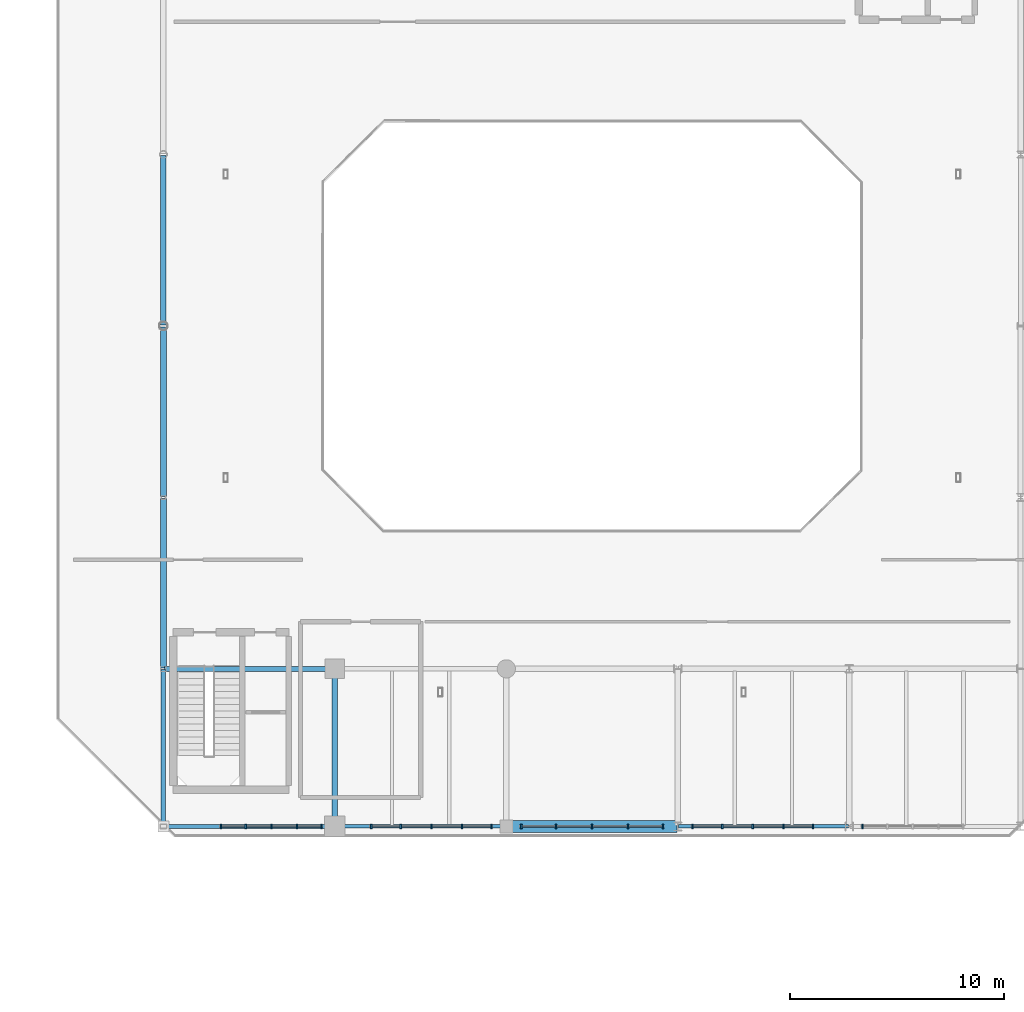
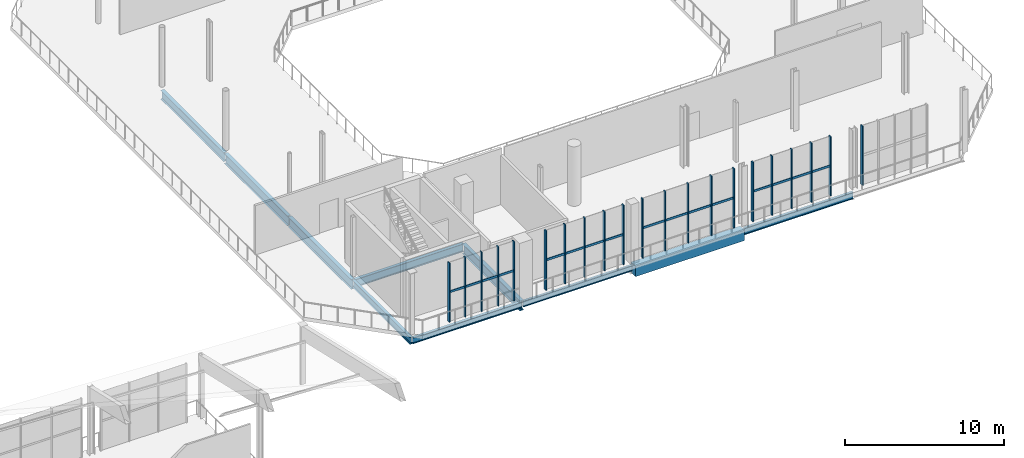
# One storey, part 17 of 51: 37 members, 10 beams, 5 elements without a shape of their own.
"""IFC4 building model written with IfcOpenShell, lengths in metres."""

from ifc_helpers import new_model, si_unit, direction, frame, origin, origin_2d, place, context, subcontext, project, spatial, rectangle, i_section, extrude, material, material_profile, profile_set, type_object, element, aggregate, save


model = new_model("IFC4")

# Units and contexts
model_context = context("Model", 3, precision=1e-05, world=origin(), true_north=direction((0.0, 1.0)))
body_context = subcontext(model_context, "Body", "Model", "MODEL_VIEW")
ifc_project = project(units=[si_unit("LENGTHUNIT", "METRE"), si_unit("AREAUNIT", "SQUARE_METRE"), si_unit("VOLUMEUNIT", "CUBIC_METRE"), si_unit("PLANEANGLEUNIT", "RADIAN"), si_unit("MASSUNIT", "GRAM", prefix="KILO")], contexts=[model_context])

# Site, building, storey
site_placement = place(None, origin())
site = spatial("IfcSite", under=ifc_project, at=site_placement, CompositionType="ELEMENT")
building_placement = place(site_placement, origin())
building = spatial("IfcBuilding", under=site, at=building_placement, Name="Brisemont Oceanarium", CompositionType="ELEMENT")
storey_placement = place(building_placement, frame((0.0, 0.0, 15.0)))
storey = spatial("IfcBuildingStorey", under=building, at=storey_placement, Name="L03", CompositionType="ELEMENT", Elevation=15.0)

# Beams
ifc_material_1 = material(Name="Concrete C40/50", Category="concrete")
ifc_material_profile_1 = material_profile(ifc_material_1, rectangle(XDim=0.550048828125, YDim=0.800048828125, at=origin_2d()), Name="RC-BM-550X800")
ifc_profile_set_1 = profile_set([ifc_material_profile_1], Name="Concrete C40/50")
beam_type_1 = type_object("IfcBeamType", Name="BM-RC550X800", PredefinedType="SPANDREL", material=ifc_profile_set_1)
beam_1_placement = place(storey_placement, frame((80.0400390625, 32.64990234375, -0.679931640625), z_axis=(1.0, 0.0, 0.0), x_axis=(0.0, 1.0, 0.0)))
element("IfcBeam", 1, at=beam_1_placement, inside=storey, type_object=beam_type_1, Name="V1 L03 EW girder", PredefinedType="SPANDREL", context=body_context, shape_type="SweptSolid", body=[
    extrude(rectangle(XDim=0.550048828125, YDim=0.800048828125, at=origin_2d()), origin(), (0.0, 0.0, 1.0), 7.919921875),
])
ifc_material_2 = material(Name="Structural Steel ASTM A992 Gr.50", Category="steel")
ifc_material_profile_2 = material_profile(ifc_material_2, i_section(OverallWidth=0.154052734375, OverallDepth=0.458984375, WebThickness=0.009033203125, FlangeThickness=0.015380859375, FilletRadius=0.010986328125, at=origin_2d()), Name="W18X46")
ifc_profile_set_2 = profile_set([ifc_material_profile_2], Name="Structural Steel ASTM A992 Gr.50")
beam_type_2 = type_object("IfcBeamType", Name="BM-W18X46", PredefinedType="SPANDREL", material=ifc_profile_set_2)
beam_2_placement = place(storey_placement, frame((72.0400390625, 32.64990234375, -0.509521484375), z_axis=(1.0, 0.0, 0.0), x_axis=(0.0, 1.0, 0.0)))
element("IfcBeam", 2, at=beam_2_placement, inside=storey, type_object=beam_type_2, Name="V1 L03 EW girder", PredefinedType="SPANDREL", context=body_context, shape_type="SweptSolid", body=[
    extrude(i_section(OverallWidth=0.154052734375, OverallDepth=0.458984375, WebThickness=0.009033203125, FlangeThickness=0.015380859375, FilletRadius=0.010986328125, at=origin_2d()), origin(), (0.0, 0.0, 1.0), 7.919921875),
])
ifc_material_3 = material(Name="Structural Steel ASTM A992 Gr.50", Category="steel")
ifc_material_profile_3 = material_profile(ifc_material_3, i_section(OverallWidth=0.19091796875, OverallDepth=0.4599609375, WebThickness=0.010009765625, FlangeThickness=0.01611328125, FilletRadius=0.010986328125, at=origin_2d()), Name="W18X55")
ifc_profile_set_3 = profile_set([ifc_material_profile_3], Name="Structural Steel ASTM A992 Gr.50")
beam_type_3 = type_object("IfcBeamType", Name="BM-W18X55", PredefinedType="SPANDREL", material=ifc_profile_set_3)
beam_3_placement = place(storey_placement, frame((64.0400390625, 32.64990234375, -0.510009765625), z_axis=(1.0, 0.0, 0.0), x_axis=(0.0, 1.0, 0.0)))
element("IfcBeam", 3, at=beam_3_placement, inside=storey, type_object=beam_type_3, Name="V1 L03 EW girder", PredefinedType="SPANDREL", context=body_context, shape_type="SweptSolid", body=[
    extrude(i_section(OverallWidth=0.19091796875, OverallDepth=0.4599609375, WebThickness=0.010009765625, FlangeThickness=0.01611328125, FilletRadius=0.010986328125, at=origin_2d()), origin(), (0.0, 0.0, 1.0), 7.919921875),
])
ifc_material_4 = material(Name="Structural Steel ASTM A992 Gr.50", Category="steel")
ifc_material_profile_4 = material_profile(ifc_material_4, i_section(OverallWidth=0.166015625, OverallDepth=0.528076171875, WebThickness=0.009765625, FlangeThickness=0.013671875, FilletRadius=0.012939453125, at=origin_2d()), Name="W21X50")
ifc_profile_set_4 = profile_set([ifc_material_profile_4], Name="Structural Steel ASTM A992 Gr.50")
beam_type_4 = type_object("IfcBeamType", Name="BM-W21X50", PredefinedType="SPANDREL", material=ifc_profile_set_4)
beam_4_placement = place(storey_placement, frame((88.0400390625, 32.64990234375, -0.5439453125), z_axis=(1.0, 0.0, 0.0), x_axis=(0.0, 1.0, 0.0)))
element("IfcBeam", 4, at=beam_4_placement, inside=storey, type_object=beam_type_4, Name="V1 L03 EW girder", PredefinedType="SPANDREL", context=body_context, shape_type="SweptSolid", body=[
    extrude(i_section(OverallWidth=0.166015625, OverallDepth=0.528076171875, WebThickness=0.009765625, FlangeThickness=0.013671875, FilletRadius=0.012939453125, at=origin_2d()), origin(), (0.0, 0.0, 1.0), 7.919921875),
])
ifc_material_5 = material(Name="Structural Steel ASTM A992 Gr.50", Category="steel")
ifc_material_profile_5 = material_profile(ifc_material_5, i_section(OverallWidth=0.2099609375, OverallDepth=0.532958984375, WebThickness=0.01025390625, FlangeThickness=0.015625, FilletRadius=0.012939453125, at=origin_2d()), Name="W21X62")
ifc_profile_set_5 = profile_set([ifc_material_profile_5], Name="Structural Steel ASTM A992 Gr.50")
beam_type_5 = type_object("IfcBeamType", Name="BM-W21X62", PredefinedType="BEAM", material=ifc_profile_set_5)
beam_5_placement = place(storey_placement, frame((64.0, 32.68994140625, -0.54638671875), z_axis=(0.0, 1.0, 0.0), x_axis=(-1.0, 0.0, 0.0)))
element("IfcBeam", 5, at=beam_5_placement, inside=storey, type_object=beam_type_5, Name="V1 L03 NS girder", PredefinedType="BEAM", context=body_context, shape_type="SweptSolid", body=[
    extrude(i_section(OverallWidth=0.2099609375, OverallDepth=0.532958984375, WebThickness=0.01025390625, FlangeThickness=0.015625, FilletRadius=0.012939453125, at=origin_2d()), origin(), (0.0, 0.0, 1.0), 7.27001953125),
])
ifc_material_6 = material(Name="Structural Steel ASTM A992 Gr.50", Category="steel")
ifc_material_profile_6 = material_profile(ifc_material_6, i_section(OverallWidth=0.22802734375, OverallDepth=0.60205078125, WebThickness=0.010498046875, FlangeThickness=0.014892578125, FilletRadius=0.012939453125, at=origin_2d()), Name="W24X68")
ifc_profile_set_6 = profile_set([ifc_material_profile_6], Name="Structural Steel ASTM A992 Gr.50")
beam_type_6 = type_object("IfcBeamType", Name="BM-W24X68", PredefinedType="BEAM", material=ifc_profile_set_6)
beam_6_placement = place(storey_placement, frame((64.0400390625, 40.0, -0.5810546875), z_axis=(1.0, 0.0, 0.0), x_axis=(0.0, 1.0, 0.0)))
element("IfcBeam", 6, at=beam_6_placement, inside=storey, type_object=beam_type_6, Name="V1 L03 EW girder", PredefinedType="BEAM", context=body_context, shape_type="SweptSolid", body=[
    extrude(i_section(OverallWidth=0.22802734375, OverallDepth=0.60205078125, WebThickness=0.010498046875, FlangeThickness=0.014892578125, FilletRadius=0.012939453125, at=origin_2d()), origin(), (0.0, 0.0, 1.0), 7.919921875),
])
ifc_material_7 = material(Name="Structural Steel ASTM A992 Gr.50", Category="steel")
ifc_material_profile_7 = material_profile(ifc_material_7, i_section(OverallWidth=0.25390625, OverallDepth=0.68310546875, WebThickness=0.012451171875, FlangeThickness=0.018798828125, FilletRadius=0.014892578125, at=origin_2d()), Name="W27X94")
ifc_profile_set_7 = profile_set([ifc_material_profile_7], Name="Structural Steel ASTM A992 Gr.50")
beam_type_7 = type_object("IfcBeamType", Name="BM-W27X94", PredefinedType="BEAM", material=ifc_profile_set_7)
beam_7_placement = place(storey_placement, frame((64.0, 56.0400390625, -0.62158203125), z_axis=(0.0, 1.0, 0.0), x_axis=(-1.0, 0.0, 0.0)))
element("IfcBeam", 7, at=beam_7_placement, inside=storey, type_object=beam_type_7, Name="V1 L03 NS girder", PredefinedType="BEAM", context=body_context, shape_type="SweptSolid", body=[
    extrude(i_section(OverallWidth=0.25390625, OverallDepth=0.68310546875, WebThickness=0.012451171875, FlangeThickness=0.018798828125, FilletRadius=0.014892578125, at=origin_2d()), origin(), (0.0, 0.0, 1.0), 7.919921875),
])
ifc_material_8 = material(Name="Structural Steel ASTM A992 Gr.50", Category="steel")
ifc_material_profile_8 = material_profile(ifc_material_8, i_section(OverallWidth=0.26708984375, OverallDepth=0.761962890625, WebThickness=0.014404296875, FlangeThickness=0.021484375, FilletRadius=0.01611328125, at=origin_2d()), Name="W30X116")
ifc_profile_set_8 = profile_set([ifc_material_profile_8], Name="Structural Steel ASTM A992 Gr.50")
beam_type_8 = type_object("IfcBeamType", Name="BM-W30X116", PredefinedType="BEAM", material=ifc_profile_set_8)
beam_8_placement = place(storey_placement, frame((64.0, 40.0400390625, -0.660888671875), z_axis=(0.0, 1.0, 0.0), x_axis=(-1.0, 0.0, 0.0)))
element("IfcBeam", 8, at=beam_8_placement, inside=storey, type_object=beam_type_8, Name="V1 L03 NS girder", PredefinedType="BEAM", context=body_context, shape_type="SweptSolid", body=[
    extrude(i_section(OverallWidth=0.26708984375, OverallDepth=0.761962890625, WebThickness=0.014404296875, FlangeThickness=0.021484375, FilletRadius=0.01611328125, at=origin_2d()), origin(), (0.0, 0.0, 1.0), 7.919921875),
])
beam_9_placement = place(storey_placement, frame((72.0, 32.68994140625, -0.660888671875), z_axis=(0.0, 1.0, 0.0), x_axis=(-1.0, 0.0, 0.0)))
element("IfcBeam", 9, at=beam_9_placement, inside=storey, type_object=beam_type_8, Name="V1 L03 NS girder", PredefinedType="BEAM", context=body_context, shape_type="SweptSolid", body=[
    extrude(i_section(OverallWidth=0.26708984375, OverallDepth=0.761962890625, WebThickness=0.014404296875, FlangeThickness=0.021484375, FilletRadius=0.01611328125, at=origin_2d()), origin(), (0.0, 0.0, 1.0), 7.27001953125),
])
ifc_material_9 = material(Name="Structural Steel ASTM A992 Gr.50", Category="steel")
ifc_material_profile_9 = material_profile(ifc_material_9, i_section(OverallWidth=0.264892578125, OverallDepth=0.7529296875, WebThickness=0.01318359375, FlangeThickness=0.01708984375, FilletRadius=0.01611328125, at=origin_2d()), Name="W30X99")
ifc_profile_set_9 = profile_set([ifc_material_profile_9], Name="Structural Steel ASTM A992 Gr.50")
beam_type_9 = type_object("IfcBeamType", Name="BM-W30X99", PredefinedType="BEAM", material=ifc_profile_set_9)
beam_10_placement = place(storey_placement, frame((64.0, 48.0400390625, -0.656494140625), z_axis=(0.0, 1.0, 0.0), x_axis=(-1.0, 0.0, 0.0)))
element("IfcBeam", 10, at=beam_10_placement, inside=storey, type_object=beam_type_9, Name="V1 L03 NS girder", PredefinedType="BEAM", context=body_context, shape_type="SweptSolid", body=[
    extrude(i_section(OverallWidth=0.264892578125, OverallDepth=0.7529296875, WebThickness=0.01318359375, FlangeThickness=0.01708984375, FilletRadius=0.01611328125, at=origin_2d()), origin(), (0.0, 0.0, 1.0), 7.919921875),
])

# Curtain wall, members
ifc_material_10 = material(Name="Anodized Extruded Aluminum 6063-T6", Category="aluminium")
curtain_wall_type = type_object("IfcCurtainWallType", Name="CW-ROT-69X44", PredefinedType="NOTDEFINED", material=ifc_material_10)
curtain_wall_1_placement = place(storey_placement, origin())
curtain_wall_1 = element("IfcCurtainWall", 11, at=curtain_wall_1_placement, inside=storey, type_object=curtain_wall_type, Name="CW-03 curtain wall CW-V1-S-L03-01", PredefinedType="NOTDEFINED")
ifc_material_11 = material(Name="Anodized Extruded Aluminum 6063-T6", Category="aluminium")
ifc_material_profile_10 = material_profile(ifc_material_11, rectangle(XDim=0.074951171875, YDim=0.219970703125, at=origin_2d()), Name="CWM-75X220")
ifc_profile_set_10 = profile_set([ifc_material_profile_10], Name="Anodized Extruded Aluminum 6063-T6")
member_type_1 = type_object("IfcMemberType", Name="MEM-CWM-75", PredefinedType="MULLION", material=ifc_profile_set_10)
member_1_placement = place(storey_placement, frame((66.695068359375, 32.64990234375, 0.0), z_axis=(0.0, 0.0, 1.0), x_axis=(1.0, 0.0, 0.0)))
member_1 = element("IfcMember", 12, at=member_1_placement, type_object=member_type_1, Name="CW-V1-S-L03-01 mullion 1", PredefinedType="MULLION", context=body_context, shape_type="SweptSolid", body=[
    extrude(rectangle(XDim=0.074951171875, YDim=0.219970703125, at=origin_2d()), origin(), (0.0, 0.0, 1.0), 4.5400390625),
])
member_2_placement = place(storey_placement, frame((67.842529296875, 32.64990234375, 0.0), z_axis=(0.0, 0.0, 1.0), x_axis=(1.0, 0.0, 0.0)))
member_2 = element("IfcMember", 13, at=member_2_placement, type_object=member_type_1, Name="CW-V1-S-L03-01 mullion 2", PredefinedType="MULLION", context=body_context, shape_type="SweptSolid", body=[
    extrude(rectangle(XDim=0.074951171875, YDim=0.219970703125, at=origin_2d()), origin(), (0.0, 0.0, 1.0), 4.5400390625),
])
member_3_placement = place(storey_placement, frame((69.034912109375, 32.64990234375, 0.0), z_axis=(0.0, 0.0, 1.0), x_axis=(1.0, 0.0, 0.0)))
member_3 = element("IfcMember", 14, at=member_3_placement, type_object=member_type_1, Name="CW-V1-S-L03-01 mullion 3", PredefinedType="MULLION", context=body_context, shape_type="SweptSolid", body=[
    extrude(rectangle(XDim=0.074951171875, YDim=0.219970703125, at=origin_2d()), origin(), (0.0, 0.0, 1.0), 4.5400390625),
])
member_4_placement = place(storey_placement, frame((70.2275390625, 32.64990234375, 0.0), z_axis=(0.0, 0.0, 1.0), x_axis=(1.0, 0.0, 0.0)))
member_4 = element("IfcMember", 15, at=member_4_placement, type_object=member_type_1, Name="CW-V1-S-L03-01 mullion 4", PredefinedType="MULLION", context=body_context, shape_type="SweptSolid", body=[
    extrude(rectangle(XDim=0.074951171875, YDim=0.219970703125, at=origin_2d()), origin(), (0.0, 0.0, 1.0), 4.5400390625),
])
member_5_placement = place(storey_placement, frame((71.375, 32.64990234375, 0.0), z_axis=(0.0, 0.0, 1.0), x_axis=(1.0, 0.0, 0.0)))
member_5 = element("IfcMember", 16, at=member_5_placement, type_object=member_type_1, Name="CW-V1-S-L03-01 mullion 5", PredefinedType="MULLION", context=body_context, shape_type="SweptSolid", body=[
    extrude(rectangle(XDim=0.074951171875, YDim=0.219970703125, at=origin_2d()), origin(), (0.0, 0.0, 1.0), 4.5400390625),
])

curtain_wall_2_placement = place(storey_placement, origin())
curtain_wall_2 = element("IfcCurtainWall", 17, at=curtain_wall_2_placement, inside=storey, type_object=curtain_wall_type, Name="CW-03 curtain wall CW-V1-S-L03-02", PredefinedType="NOTDEFINED")
member_6_placement = place(storey_placement, frame((73.695068359375, 32.64990234375, 0.0), z_axis=(0.0, 0.0, 1.0), x_axis=(1.0, 0.0, 0.0)))
member_6 = element("IfcMember", 18, at=member_6_placement, type_object=member_type_1, Name="CW-V1-S-L03-02 mullion 1", PredefinedType="MULLION", context=body_context, shape_type="SweptSolid", body=[
    extrude(rectangle(XDim=0.074951171875, YDim=0.219970703125, at=origin_2d()), origin(), (0.0, 0.0, 1.0), 4.5400390625),
])
member_7_placement = place(storey_placement, frame((75.074951171875, 32.64990234375, 0.0), z_axis=(0.0, 0.0, 1.0), x_axis=(1.0, 0.0, 0.0)))
member_7 = element("IfcMember", 19, at=member_7_placement, type_object=member_type_1, Name="CW-V1-S-L03-02 mullion 2", PredefinedType="MULLION", context=body_context, shape_type="SweptSolid", body=[
    extrude(rectangle(XDim=0.074951171875, YDim=0.219970703125, at=origin_2d()), origin(), (0.0, 0.0, 1.0), 4.5400390625),
])
member_8_placement = place(storey_placement, frame((76.5, 32.64990234375, 0.0), z_axis=(0.0, 0.0, 1.0), x_axis=(1.0, 0.0, 0.0)))
member_8 = element("IfcMember", 20, at=member_8_placement, type_object=member_type_1, Name="CW-V1-S-L03-02 mullion 3", PredefinedType="MULLION", context=body_context, shape_type="SweptSolid", body=[
    extrude(rectangle(XDim=0.074951171875, YDim=0.219970703125, at=origin_2d()), origin(), (0.0, 0.0, 1.0), 4.5400390625),
])
member_9_placement = place(storey_placement, frame((77.925048828125, 32.64990234375, 0.0), z_axis=(0.0, 0.0, 1.0), x_axis=(1.0, 0.0, 0.0)))
member_9 = element("IfcMember", 21, at=member_9_placement, type_object=member_type_1, Name="CW-V1-S-L03-02 mullion 4", PredefinedType="MULLION", context=body_context, shape_type="SweptSolid", body=[
    extrude(rectangle(XDim=0.074951171875, YDim=0.219970703125, at=origin_2d()), origin(), (0.0, 0.0, 1.0), 4.5400390625),
])
member_10_placement = place(storey_placement, frame((79.304931640625, 32.64990234375, 0.0), z_axis=(0.0, 0.0, 1.0), x_axis=(1.0, 0.0, 0.0)))
member_10 = element("IfcMember", 22, at=member_10_placement, type_object=member_type_1, Name="CW-V1-S-L03-02 mullion 5", PredefinedType="MULLION", context=body_context, shape_type="SweptSolid", body=[
    extrude(rectangle(XDim=0.074951171875, YDim=0.219970703125, at=origin_2d()), origin(), (0.0, 0.0, 1.0), 4.5400390625),
])

curtain_wall_3_placement = place(storey_placement, origin())
curtain_wall_3 = element("IfcCurtainWall", 23, at=curtain_wall_3_placement, inside=storey, type_object=curtain_wall_type, Name="CW-03 curtain wall CW-V1-S-L03-03", PredefinedType="NOTDEFINED")
member_11_placement = place(storey_placement, frame((80.695068359375, 32.64990234375, 0.0), z_axis=(0.0, 0.0, 1.0), x_axis=(1.0, 0.0, 0.0)))
member_11 = element("IfcMember", 24, at=member_11_placement, type_object=member_type_1, Name="CW-V1-S-L03-03 mullion 1", PredefinedType="MULLION", context=body_context, shape_type="SweptSolid", body=[
    extrude(rectangle(XDim=0.074951171875, YDim=0.219970703125, at=origin_2d()), origin(), (0.0, 0.0, 1.0), 4.5400390625),
])
member_12_placement = place(storey_placement, frame((82.324951171875, 32.64990234375, 0.0), z_axis=(0.0, 0.0, 1.0), x_axis=(1.0, 0.0, 0.0)))
member_12 = element("IfcMember", 25, at=member_12_placement, type_object=member_type_1, Name="CW-V1-S-L03-03 mullion 2", PredefinedType="MULLION", context=body_context, shape_type="SweptSolid", body=[
    extrude(rectangle(XDim=0.074951171875, YDim=0.219970703125, at=origin_2d()), origin(), (0.0, 0.0, 1.0), 4.5400390625),
])
member_13_placement = place(storey_placement, frame((84.0, 32.64990234375, 0.0), z_axis=(0.0, 0.0, 1.0), x_axis=(1.0, 0.0, 0.0)))
member_13 = element("IfcMember", 26, at=member_13_placement, type_object=member_type_1, Name="CW-V1-S-L03-03 mullion 3", PredefinedType="MULLION", context=body_context, shape_type="SweptSolid", body=[
    extrude(rectangle(XDim=0.074951171875, YDim=0.219970703125, at=origin_2d()), origin(), (0.0, 0.0, 1.0), 4.5400390625),
])
member_14_placement = place(storey_placement, frame((85.675048828125, 32.64990234375, 0.0), z_axis=(0.0, 0.0, 1.0), x_axis=(1.0, 0.0, 0.0)))
member_14 = element("IfcMember", 27, at=member_14_placement, type_object=member_type_1, Name="CW-V1-S-L03-03 mullion 4", PredefinedType="MULLION", context=body_context, shape_type="SweptSolid", body=[
    extrude(rectangle(XDim=0.074951171875, YDim=0.219970703125, at=origin_2d()), origin(), (0.0, 0.0, 1.0), 4.5400390625),
])
member_15_placement = place(storey_placement, frame((87.304931640625, 32.64990234375, 0.0), z_axis=(0.0, 0.0, 1.0), x_axis=(1.0, 0.0, 0.0)))
member_15 = element("IfcMember", 28, at=member_15_placement, type_object=member_type_1, Name="CW-V1-S-L03-03 mullion 5", PredefinedType="MULLION", context=body_context, shape_type="SweptSolid", body=[
    extrude(rectangle(XDim=0.074951171875, YDim=0.219970703125, at=origin_2d()), origin(), (0.0, 0.0, 1.0), 4.5400390625),
])

curtain_wall_4_placement = place(storey_placement, origin())
curtain_wall_4 = element("IfcCurtainWall", 29, at=curtain_wall_4_placement, inside=storey, type_object=curtain_wall_type, Name="CW-03 curtain wall CW-V1-S-L03-04", PredefinedType="NOTDEFINED")
member_16_placement = place(storey_placement, frame((88.695068359375, 32.64990234375, 0.0), z_axis=(0.0, 0.0, 1.0), x_axis=(1.0, 0.0, 0.0)))
member_16 = element("IfcMember", 30, at=member_16_placement, type_object=member_type_1, Name="CW-V1-S-L03-04 mullion 1", PredefinedType="MULLION", context=body_context, shape_type="SweptSolid", body=[
    extrude(rectangle(XDim=0.074951171875, YDim=0.219970703125, at=origin_2d()), origin(), (0.0, 0.0, 1.0), 4.5400390625),
])
member_17_placement = place(storey_placement, frame((90.074951171875, 32.64990234375, 0.0), z_axis=(0.0, 0.0, 1.0), x_axis=(1.0, 0.0, 0.0)))
member_17 = element("IfcMember", 31, at=member_17_placement, type_object=member_type_1, Name="CW-V1-S-L03-04 mullion 2", PredefinedType="MULLION", context=body_context, shape_type="SweptSolid", body=[
    extrude(rectangle(XDim=0.074951171875, YDim=0.219970703125, at=origin_2d()), origin(), (0.0, 0.0, 1.0), 4.5400390625),
])
member_18_placement = place(storey_placement, frame((91.5, 32.64990234375, 0.0), z_axis=(0.0, 0.0, 1.0), x_axis=(1.0, 0.0, 0.0)))
member_18 = element("IfcMember", 32, at=member_18_placement, type_object=member_type_1, Name="CW-V1-S-L03-04 mullion 3", PredefinedType="MULLION", context=body_context, shape_type="SweptSolid", body=[
    extrude(rectangle(XDim=0.074951171875, YDim=0.219970703125, at=origin_2d()), origin(), (0.0, 0.0, 1.0), 4.5400390625),
])
member_19_placement = place(storey_placement, frame((92.925048828125, 32.64990234375, 0.0), z_axis=(0.0, 0.0, 1.0), x_axis=(1.0, 0.0, 0.0)))
member_19 = element("IfcMember", 33, at=member_19_placement, type_object=member_type_1, Name="CW-V1-S-L03-04 mullion 4", PredefinedType="MULLION", context=body_context, shape_type="SweptSolid", body=[
    extrude(rectangle(XDim=0.074951171875, YDim=0.219970703125, at=origin_2d()), origin(), (0.0, 0.0, 1.0), 4.5400390625),
])
member_20_placement = place(storey_placement, frame((94.304931640625, 32.64990234375, 0.0), z_axis=(0.0, 0.0, 1.0), x_axis=(1.0, 0.0, 0.0)))
member_20 = element("IfcMember", 34, at=member_20_placement, type_object=member_type_1, Name="CW-V1-S-L03-04 mullion 5", PredefinedType="MULLION", context=body_context, shape_type="SweptSolid", body=[
    extrude(rectangle(XDim=0.074951171875, YDim=0.219970703125, at=origin_2d()), origin(), (0.0, 0.0, 1.0), 4.5400390625),
])

# Curtain wall, member
curtain_wall_5_placement = place(storey_placement, origin())
curtain_wall_5 = element("IfcCurtainWall", 35, at=curtain_wall_5_placement, inside=storey, type_object=curtain_wall_type, Name="CW-03 curtain wall CW-V1-S-L03-05", PredefinedType="NOTDEFINED")
member_21_placement = place(storey_placement, frame((96.625, 32.64990234375, 0.0), z_axis=(0.0, 0.0, 1.0), x_axis=(1.0, 0.0, 0.0)))
member_21 = element("IfcMember", 36, at=member_21_placement, type_object=member_type_1, Name="CW-V1-S-L03-05 mullion 1", PredefinedType="MULLION", context=body_context, shape_type="SweptSolid", body=[
    extrude(rectangle(XDim=0.074951171875, YDim=0.219970703125, at=origin_2d()), origin(), (0.0, 0.0, 1.0), 4.5400390625),
])
aggregate(curtain_wall_5, [member_21])

# Member
ifc_material_12 = material(Name="Anodized Extruded Aluminum 6063-T6", Category="aluminium")
ifc_material_profile_11 = material_profile(ifc_material_12, rectangle(XDim=0.074951171875, YDim=0.1650390625, at=origin_2d()), Name="CWT-75X165")
ifc_profile_set_11 = profile_set([ifc_material_profile_11], Name="Anodized Extruded Aluminum 6063-T6")
member_type_2 = type_object("IfcMemberType", Name="MEM-CWT-75", PredefinedType="USERDEFINED", material=ifc_profile_set_11)
member_22_placement = place(storey_placement, frame((66.6650390625, 32.64990234375, 2.27001953125), z_axis=(1.0, 0.0, 0.0), x_axis=(0.0, 1.0, 0.0)))
member_22 = element("IfcMember", 37, at=member_22_placement, type_object=member_type_2, Name="CW-V1-S-L03-01 transom 1.1", ObjectType="TRANSOM", PredefinedType="USERDEFINED", context=body_context, shape_type="SweptSolid", body=[
    extrude(rectangle(XDim=0.074951171875, YDim=0.1650390625, at=origin_2d()), origin(), (0.0, 0.0, 1.0), 1.162353515625),
])

member_23_placement = place(storey_placement, frame((67.857421875, 32.64990234375, 2.27001953125), z_axis=(1.0, 0.0, 0.0), x_axis=(0.0, 1.0, 0.0)))
member_23 = element("IfcMember", 38, at=member_23_placement, type_object=member_type_2, Name="CW-V1-S-L03-01 transom 2.1", ObjectType="TRANSOM", PredefinedType="USERDEFINED", context=body_context, shape_type="SweptSolid", body=[
    extrude(rectangle(XDim=0.074951171875, YDim=0.1650390625, at=origin_2d()), origin(), (0.0, 0.0, 1.0), 1.16259765625),
])

member_24_placement = place(storey_placement, frame((69.050048828125, 32.64990234375, 2.27001953125), z_axis=(1.0, 0.0, 0.0), x_axis=(0.0, 1.0, 0.0)))
member_24 = element("IfcMember", 39, at=member_24_placement, type_object=member_type_2, Name="CW-V1-S-L03-01 transom 3.1", ObjectType="TRANSOM", PredefinedType="USERDEFINED", context=body_context, shape_type="SweptSolid", body=[
    extrude(rectangle(XDim=0.074951171875, YDim=0.1650390625, at=origin_2d()), origin(), (0.0, 0.0, 1.0), 1.162353515625),
])

member_25_placement = place(storey_placement, frame((70.242431640625, 32.64990234375, 2.27001953125), z_axis=(1.0, 0.0, 0.0), x_axis=(0.0, 1.0, 0.0)))
member_25 = element("IfcMember", 40, at=member_25_placement, type_object=member_type_2, Name="CW-V1-S-L03-01 transom 4.1", ObjectType="TRANSOM", PredefinedType="USERDEFINED", context=body_context, shape_type="SweptSolid", body=[
    extrude(rectangle(XDim=0.074951171875, YDim=0.1650390625, at=origin_2d()), origin(), (0.0, 0.0, 1.0), 1.16259765625),
])

aggregate(curtain_wall_1, [member_1, member_2, member_3, member_4, member_5, member_22, member_23, member_24, member_25])

member_26_placement = place(storey_placement, frame((73.6650390625, 32.64990234375, 2.27001953125), z_axis=(1.0, 0.0, 0.0), x_axis=(0.0, 1.0, 0.0)))
member_26 = element("IfcMember", 41, at=member_26_placement, type_object=member_type_2, Name="CW-V1-S-L03-02 transom 1.1", ObjectType="TRANSOM", PredefinedType="USERDEFINED", context=body_context, shape_type="SweptSolid", body=[
    extrude(rectangle(XDim=0.074951171875, YDim=0.1650390625, at=origin_2d()), origin(), (0.0, 0.0, 1.0), 1.39501953125),
])

member_27_placement = place(storey_placement, frame((75.090087890625, 32.64990234375, 2.27001953125), z_axis=(1.0, 0.0, 0.0), x_axis=(0.0, 1.0, 0.0)))
member_27 = element("IfcMember", 42, at=member_27_placement, type_object=member_type_2, Name="CW-V1-S-L03-02 transom 2.1", ObjectType="TRANSOM", PredefinedType="USERDEFINED", context=body_context, shape_type="SweptSolid", body=[
    extrude(rectangle(XDim=0.074951171875, YDim=0.1650390625, at=origin_2d()), origin(), (0.0, 0.0, 1.0), 1.39501953125),
])

member_28_placement = place(storey_placement, frame((76.514892578125, 32.64990234375, 2.27001953125), z_axis=(1.0, 0.0, 0.0), x_axis=(0.0, 1.0, 0.0)))
member_28 = element("IfcMember", 43, at=member_28_placement, type_object=member_type_2, Name="CW-V1-S-L03-02 transom 3.1", ObjectType="TRANSOM", PredefinedType="USERDEFINED", context=body_context, shape_type="SweptSolid", body=[
    extrude(rectangle(XDim=0.074951171875, YDim=0.1650390625, at=origin_2d()), origin(), (0.0, 0.0, 1.0), 1.39501953125),
])

member_29_placement = place(storey_placement, frame((77.93994140625, 32.64990234375, 2.27001953125), z_axis=(1.0, 0.0, 0.0), x_axis=(0.0, 1.0, 0.0)))
member_29 = element("IfcMember", 44, at=member_29_placement, type_object=member_type_2, Name="CW-V1-S-L03-02 transom 4.1", ObjectType="TRANSOM", PredefinedType="USERDEFINED", context=body_context, shape_type="SweptSolid", body=[
    extrude(rectangle(XDim=0.074951171875, YDim=0.1650390625, at=origin_2d()), origin(), (0.0, 0.0, 1.0), 1.39501953125),
])

aggregate(curtain_wall_2, [member_6, member_7, member_8, member_9, member_10, member_26, member_27, member_28, member_29])

member_30_placement = place(storey_placement, frame((80.6650390625, 32.64990234375, 2.27001953125), z_axis=(1.0, 0.0, 0.0), x_axis=(0.0, 1.0, 0.0)))
member_30 = element("IfcMember", 45, at=member_30_placement, type_object=member_type_2, Name="CW-V1-S-L03-03 transom 1.1", ObjectType="TRANSOM", PredefinedType="USERDEFINED", context=body_context, shape_type="SweptSolid", body=[
    extrude(rectangle(XDim=0.074951171875, YDim=0.1650390625, at=origin_2d()), origin(), (0.0, 0.0, 1.0), 1.64501953125),
])

member_31_placement = place(storey_placement, frame((82.340087890625, 32.64990234375, 2.27001953125), z_axis=(1.0, 0.0, 0.0), x_axis=(0.0, 1.0, 0.0)))
member_31 = element("IfcMember", 46, at=member_31_placement, type_object=member_type_2, Name="CW-V1-S-L03-03 transom 2.1", ObjectType="TRANSOM", PredefinedType="USERDEFINED", context=body_context, shape_type="SweptSolid", body=[
    extrude(rectangle(XDim=0.074951171875, YDim=0.1650390625, at=origin_2d()), origin(), (0.0, 0.0, 1.0), 1.64501953125),
])

member_32_placement = place(storey_placement, frame((84.014892578125, 32.64990234375, 2.27001953125), z_axis=(1.0, 0.0, 0.0), x_axis=(0.0, 1.0, 0.0)))
member_32 = element("IfcMember", 47, at=member_32_placement, type_object=member_type_2, Name="CW-V1-S-L03-03 transom 3.1", ObjectType="TRANSOM", PredefinedType="USERDEFINED", context=body_context, shape_type="SweptSolid", body=[
    extrude(rectangle(XDim=0.074951171875, YDim=0.1650390625, at=origin_2d()), origin(), (0.0, 0.0, 1.0), 1.64501953125),
])

member_33_placement = place(storey_placement, frame((85.68994140625, 32.64990234375, 2.27001953125), z_axis=(1.0, 0.0, 0.0), x_axis=(0.0, 1.0, 0.0)))
member_33 = element("IfcMember", 48, at=member_33_placement, type_object=member_type_2, Name="CW-V1-S-L03-03 transom 4.1", ObjectType="TRANSOM", PredefinedType="USERDEFINED", context=body_context, shape_type="SweptSolid", body=[
    extrude(rectangle(XDim=0.074951171875, YDim=0.1650390625, at=origin_2d()), origin(), (0.0, 0.0, 1.0), 1.64501953125),
])

aggregate(curtain_wall_3, [member_11, member_12, member_13, member_14, member_15, member_30, member_31, member_32, member_33])

member_34_placement = place(storey_placement, frame((88.6650390625, 32.64990234375, 2.27001953125), z_axis=(1.0, 0.0, 0.0), x_axis=(0.0, 1.0, 0.0)))
member_34 = element("IfcMember", 49, at=member_34_placement, type_object=member_type_2, Name="CW-V1-S-L03-04 transom 1.1", ObjectType="TRANSOM", PredefinedType="USERDEFINED", context=body_context, shape_type="SweptSolid", body=[
    extrude(rectangle(XDim=0.074951171875, YDim=0.1650390625, at=origin_2d()), origin(), (0.0, 0.0, 1.0), 1.39501953125),
])

member_35_placement = place(storey_placement, frame((90.090087890625, 32.64990234375, 2.27001953125), z_axis=(1.0, 0.0, 0.0), x_axis=(0.0, 1.0, 0.0)))
member_35 = element("IfcMember", 50, at=member_35_placement, type_object=member_type_2, Name="CW-V1-S-L03-04 transom 2.1", ObjectType="TRANSOM", PredefinedType="USERDEFINED", context=body_context, shape_type="SweptSolid", body=[
    extrude(rectangle(XDim=0.074951171875, YDim=0.1650390625, at=origin_2d()), origin(), (0.0, 0.0, 1.0), 1.39501953125),
])

member_36_placement = place(storey_placement, frame((91.514892578125, 32.64990234375, 2.27001953125), z_axis=(1.0, 0.0, 0.0), x_axis=(0.0, 1.0, 0.0)))
member_36 = element("IfcMember", 51, at=member_36_placement, type_object=member_type_2, Name="CW-V1-S-L03-04 transom 3.1", ObjectType="TRANSOM", PredefinedType="USERDEFINED", context=body_context, shape_type="SweptSolid", body=[
    extrude(rectangle(XDim=0.074951171875, YDim=0.1650390625, at=origin_2d()), origin(), (0.0, 0.0, 1.0), 1.39501953125),
])

member_37_placement = place(storey_placement, frame((92.93994140625, 32.64990234375, 2.27001953125), z_axis=(1.0, 0.0, 0.0), x_axis=(0.0, 1.0, 0.0)))
member_37 = element("IfcMember", 52, at=member_37_placement, type_object=member_type_2, Name="CW-V1-S-L03-04 transom 4.1", ObjectType="TRANSOM", PredefinedType="USERDEFINED", context=body_context, shape_type="SweptSolid", body=[
    extrude(rectangle(XDim=0.074951171875, YDim=0.1650390625, at=origin_2d()), origin(), (0.0, 0.0, 1.0), 1.39501953125),
])

aggregate(curtain_wall_4, [member_16, member_17, member_18, member_19, member_20, member_34, member_35, member_36, member_37])

save(model, "model.ifc")
